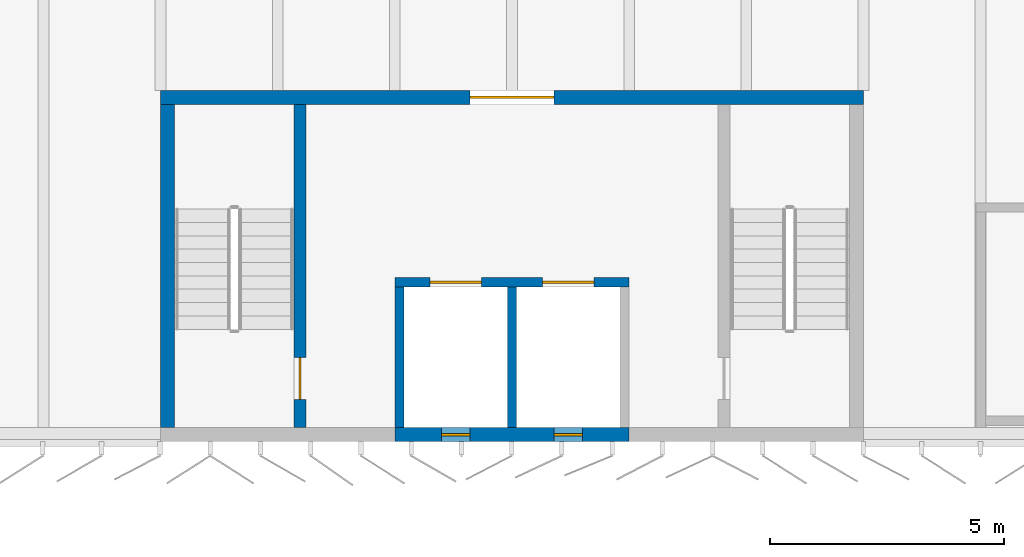
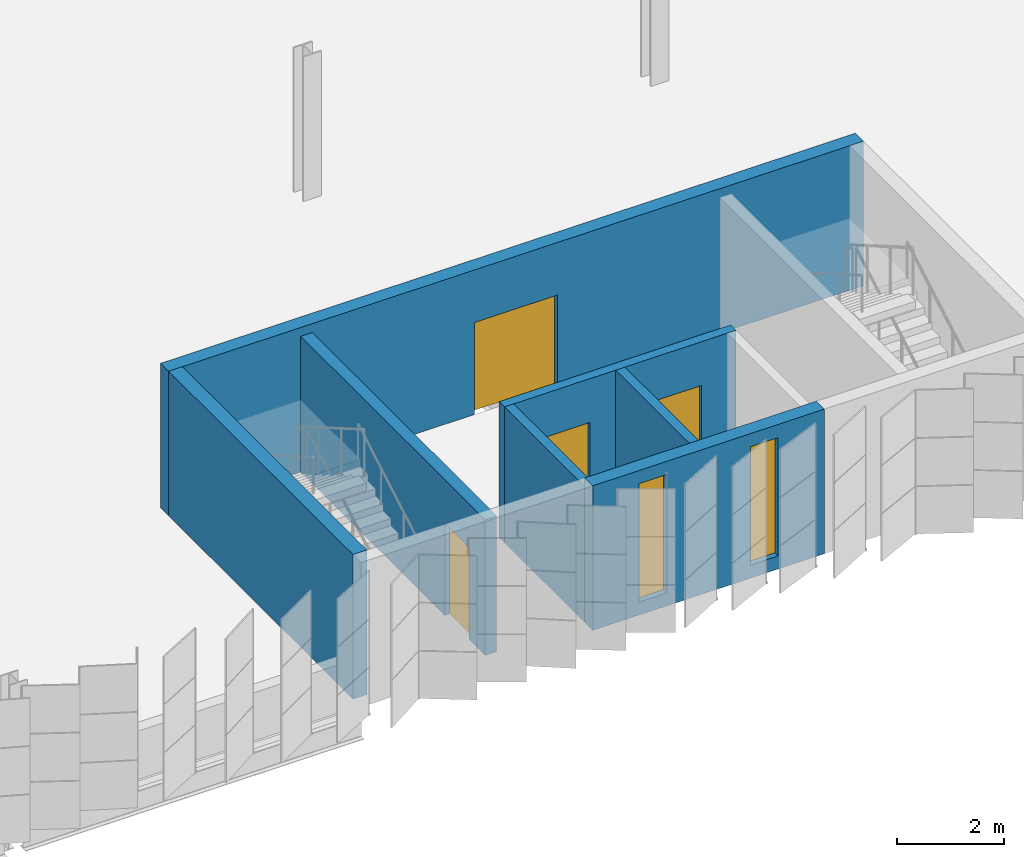
# One storey, part 71 of 214: 7 walls, 4 doors, 2 windows, 6 openings.
"""IFC4 building model written with IfcOpenShell, lengths in metres."""

import ifcopenshell
import ifcopenshell.guid

model = None  # the IFC model being written
_history = None  # IfcOwnerHistory: only IFC2X3 demands one
_inside = {}  # id of a spatial element -> (the spatial element, [elements in it])
_under = {}  # id of a project, library or spatial element -> (it, [spatial elements below it])
_declared = {}  # id of a project -> (the project, [libraries it declares])
_typed = {}  # id of a type object -> (the type object, [elements of that type])
_made_of = {}  # id of a material, layer set ... -> (it, [elements and type objects made of it])


def new_model(schema):
    """Start an empty IFC model of exactly this schema.

    Asked for "IFC4X3", IfcOpenShell would pick the latest addendum, in which some entities
    have other attributes; the version numbers below select the first issue.
    IFC2X3 requires an IfcOwnerHistory on every rooted entity: one is made here for all.
    """
    global model, _history
    if schema == "IFC4X3":
        model = ifcopenshell.file(schema_version=(4, 3, 0, 0))
    else:
        model = ifcopenshell.file(schema=schema)
    _inside.clear()
    _under.clear()
    _declared.clear()
    _typed.clear()
    _made_of.clear()
    _history = None
    if model.schema == "IFC2X3":
        org = make("IfcOrganization", Name="unknown")
        user = make(
            "IfcPersonAndOrganization",
            ThePerson=make("IfcPerson", FamilyName="unknown"),
            TheOrganization=org,
        )
        app = make(
            "IfcApplication",
            ApplicationDeveloper=org,
            Version="unknown",
            ApplicationFullName="unknown",
            ApplicationIdentifier="unknown",
        )
        _history = make(
            "IfcOwnerHistory",
            OwningUser=user,
            OwningApplication=app,
            ChangeAction="ADDED",
            CreationDate=0,
        )
    return model


def make(cls, **values):
    """One entity of the class cls with the attributes given. An attribute that is None is left unset."""
    return model.create_entity(
        cls, **{name: value for name, value in values.items() if value is not None}
    )


def rooted(cls, **values):
    """An entity with a GlobalId (a new one), such as an element, a storey or a relation."""
    return make(cls, GlobalId=ifcopenshell.guid.new(), OwnerHistory=_history, **values)


def si_unit(unit_type, name, prefix=None):
    """IfcSIUnit, for example si_unit("LENGTHUNIT", "METRE", prefix="MILLI")."""
    return make("IfcSIUnit", UnitType=unit_type, Prefix=prefix, Name=name)


def assignment(units):
    """IfcUnitAssignment: the units of a project."""
    return None if units is None else make("IfcUnitAssignment", Units=units)


def point(xyz):
    """IfcCartesianPoint."""
    return None if xyz is None else make("IfcCartesianPoint", Coordinates=xyz)


def direction(xyz):
    """IfcDirection."""
    return None if xyz is None else make("IfcDirection", DirectionRatios=xyz)


def frame(location, z_axis=None, x_axis=None):
    """IfcAxis2Placement3D, a coordinate frame: its origin and axes. An axis left out is left unset."""
    return make(
        "IfcAxis2Placement3D",
        Location=point(location),
        Axis=direction(z_axis),
        RefDirection=direction(x_axis),
    )


def frame_2d(location, x_axis=None):
    """IfcAxis2Placement2D, a coordinate frame in the plane: its origin and x axis."""
    return make(
        "IfcAxis2Placement2D", Location=point(location), RefDirection=direction(x_axis)
    )


def origin():
    """The frame at (0, 0, 0) with its axes left unset."""
    return frame((0.0, 0.0, 0.0))


def place(relative_to, where):
    """IfcLocalPlacement: puts the frame where relative to a parent placement (None: the world)."""
    return make(
        "IfcLocalPlacement", PlacementRelTo=relative_to, RelativePlacement=where
    )


def context(
    kind, dimensions, precision=None, world=None, true_north=None, identifier=None
):
    """IfcGeometricRepresentationContext, for example the 3D "Model" context."""
    return make(
        "IfcGeometricRepresentationContext",
        ContextIdentifier=identifier,
        ContextType=kind,
        CoordinateSpaceDimension=dimensions,
        Precision=precision,
        WorldCoordinateSystem=world,
        TrueNorth=true_north,
    )


def subcontext(parent, identifier, kind, view, scale=None):
    """IfcGeometricRepresentationSubContext, for example "Body" below "Model"."""
    return make(
        "IfcGeometricRepresentationSubContext",
        ContextIdentifier=identifier,
        ContextType=kind,
        ParentContext=parent,
        TargetScale=scale,
        TargetView=view,
    )


def project(units=None, contexts=None):
    """IfcProject with its units and contexts."""
    return rooted(
        "IfcProject",
        Name="project",
        RepresentationContexts=contexts,
        UnitsInContext=assignment(units),
    )


def spatial(cls, under=None, at=None, **own):
    """A site, building, storey or space (cls), placed at a placement, below another one or the project."""
    s = rooted(cls, ObjectPlacement=at, **own)
    if under is not None:
        _under.setdefault(under.id(), (under, []))[1].append(s)
    return s


def profile(cls, at=None, kind="AREA", **sizes):
    """A parametric profile (cls). Its sizes go by their IFC names, for example OverallWidth=200.0."""
    return make(cls, ProfileType=kind, Position=at, **sizes)


def rectangle(**sizes):
    """IfcRectangleProfileDef."""
    return profile("IfcRectangleProfileDef", **sizes)


def extrude(swept, where, along, depth):
    """IfcExtrudedAreaSolid: the profile swept, set in the frame where, extruded along a direction by depth."""
    return make(
        "IfcExtrudedAreaSolid",
        SweptArea=swept,
        Position=where,
        ExtrudedDirection=direction(along),
        Depth=depth,
    )


def shape(context_of_items, identifier, shape_type, items):
    """IfcShapeRepresentation: the items that make up one representation, for example the "Body"."""
    return make(
        "IfcShapeRepresentation",
        ContextOfItems=context_of_items,
        RepresentationIdentifier=identifier,
        RepresentationType=shape_type,
        Items=items,
    )


def material(Name=None, Category=None):
    """IfcMaterial."""
    return make("IfcMaterial", Name=Name, Category=Category)


def layer(
    of_material, thickness, ventilated=None, Name=None, Category=None, Priority=None
):
    """IfcMaterialLayer: one layer of a wall or slab, of a material (None: an air gap)."""
    return make(
        "IfcMaterialLayer",
        Material=of_material,
        LayerThickness=thickness,
        IsVentilated=ventilated,
        Name=Name,
        Category=Category,
        Priority=Priority,
    )


def layer_set(layers, Name=None):
    """IfcMaterialLayerSet."""
    return make("IfcMaterialLayerSet", MaterialLayers=layers, LayerSetName=Name)


def made_of(thing, what):
    """Note that an element or type object is made of a material, layer set ...; save() writes the relation."""
    if what is not None:
        _made_of.setdefault(what.id(), (what, []))[1].append(thing)
    return thing


def type_object(cls, material=None, **own):
    """A type object (cls), such as IfcWallType, which elements share."""
    return made_of(rooted(cls, **own), material)


def element(
    cls,
    number,
    at=None,
    inside=None,
    cuts=None,
    type_object=None,
    material=None,
    context=None,
    identifier="Body",
    shape_type=None,
    held_by="IfcProductDefinitionShape",
    body=None,
    shapes=None,
    **own,
):
    """One element of the class cls, such as IfcWall. Its Tag is "e" and its number.

    at: its placement. inside: the storey or other place that contains it. cuts: it is an
    opening in that element (IfcRelVoidsElement). A single representation is given by context,
    identifier, shape_type and body (its items); several are given by shapes. held_by: the class
    of the entity that holds the representations. save() writes the other relations.
    """
    e = rooted(cls, Tag="e%d" % number, ObjectPlacement=at, **own)
    if body is not None:
        shapes = [shape(context, identifier, shape_type, body)]
    if shapes is not None:
        e.Representation = make(held_by, Representations=shapes)
    if inside is not None:
        _inside.setdefault(inside.id(), (inside, []))[1].append(e)
    if cuts is not None:
        rooted(
            "IfcRelVoidsElement", RelatingBuildingElement=cuts, RelatedOpeningElement=e
        )
    if type_object is not None:
        _typed.setdefault(type_object.id(), (type_object, []))[1].append(e)
    return made_of(e, material)


def fill(opening, filler):
    """IfcRelFillsElement: the door or window that sits in an opening."""
    return rooted(
        "IfcRelFillsElement",
        RelatingOpeningElement=opening,
        RelatedBuildingElement=filler,
    )


def aggregate(whole, parts):
    """IfcRelAggregates: a whole, such as a stair, and the parts it consists of."""
    return rooted("IfcRelAggregates", RelatingObject=whole, RelatedObjects=parts)


def save(model, path):
    """Write the relations noted so far, then the file.

    IfcRelAggregates (storeys below a building ...), IfcRelContainedInSpatialStructure (elements
    in a storey), IfcRelDefinesByType, IfcRelAssociatesMaterial and IfcRelDeclares: one each for
    every whole, place, type object, material and project.
    """
    for whole, parts in _under.values():
        aggregate(whole, parts)
    for where, things in _inside.values():
        rooted(
            "IfcRelContainedInSpatialStructure",
            RelatedElements=things,
            RelatingStructure=where,
        )
    for kind, things in _typed.values():
        rooted("IfcRelDefinesByType", RelatedObjects=things, RelatingType=kind)
    for what, things in _made_of.values():
        rooted("IfcRelAssociatesMaterial", RelatedObjects=things, RelatingMaterial=what)
    for by, libraries in _declared.values():
        rooted("IfcRelDeclares", RelatingContext=by, RelatedDefinitions=libraries)
    model.write(path)


model = new_model("IFC4")

# Units and contexts
model_context = context("Model", 3, precision=1e-05, world=origin(), true_north=direction((0.0, 1.0)))
body_context = subcontext(model_context, "Body", "Model", "MODEL_VIEW")
ifc_project = project(units=[si_unit("LENGTHUNIT", "METRE"), si_unit("AREAUNIT", "SQUARE_METRE"), si_unit("VOLUMEUNIT", "CUBIC_METRE"), si_unit("PLANEANGLEUNIT", "RADIAN"), si_unit("MASSUNIT", "GRAM", prefix="KILO")], contexts=[model_context])

# Site, building, storey
site_placement = place(None, origin())
site = spatial("IfcSite", under=ifc_project, at=site_placement, CompositionType="ELEMENT")
building_placement = place(site_placement, origin())
building = spatial("IfcBuilding", under=site, at=building_placement, Name="Parallax Yard Mobility Hub", CompositionType="ELEMENT")
storey_placement = place(building_placement, frame((0.0, 0.0, 3.300048828125)))
storey = spatial("IfcBuildingStorey", under=building, at=storey_placement, Name="L01", CompositionType="ELEMENT", Elevation=3.300048828125)

# Wall, opening, door
ifc_material_1 = material(Name="Concrete fc' 35 MPa", Category="concrete")
ifc_layer_1 = layer(ifc_material_1, 0.300048828125)
ifc_layer_set_1 = layer_set([ifc_layer_1], Name="Concrete fc' 35 MPa core wall 300")
wall_type_1 = type_object("IfcWallType", Name="Concrete fc' 35 MPa core wall 300", PredefinedType="SHEAR", material=ifc_layer_set_1)
wall_1_placement = place(storey_placement, frame((127.5, 119.85009765625, 0.0), z_axis=(0.0, 0.0, 1.0), x_axis=(1.0, 0.0, 0.0)))
wall_1 = element("IfcWall", 1, at=wall_1_placement, inside=storey, type_object=wall_type_1, Name="Core C-N2 entry wall level L01", PredefinedType="SHEAR", context=body_context, shape_type="SweptSolid", body=[
    extrude(rectangle(XDim=15.0, YDim=0.300048828125, at=frame_2d((7.5, 0.0))), origin(), (0.0, 0.0, 1.0), 3.300048828125),
])
opening_1_placement = place(wall_1_placement, frame((6.60009765625, 0.0, 0.0)))
opening_1 = element("IfcOpeningElement", 2, at=opening_1_placement, cuts=wall_1, Name="Opening L01-D714", PredefinedType="OPENING", context=body_context, shape_type="SweptSolid", body=[
    extrude(rectangle(XDim=1.800048828125, YDim=2.10009765625, at=frame_2d((0.89990234375, 1.050048828125))), frame((0.0, 0.16015625, 0.0), z_axis=(0.0, -1.0, 0.0), x_axis=(1.0, 0.0, 0.0)), (0.0, 0.0, 1.0), 0.320068359375),
])
ifc_material_2 = material(Name="Hollow metal steel door and frame", Category="steel")
door_type_1 = type_object("IfcDoorType", Name="Core double door 1800 x 2100 FD90", OperationType="NOTDEFINED", PredefinedType="DOOR", material=ifc_material_2)
door_1_placement = place(opening_1_placement, origin())
door_1 = element("IfcDoor", 3, at=door_1_placement, inside=storey, type_object=door_type_1, Name="Lift lobby door L01-D714, core C-N2 level L01", OperationType="DOUBLE_DOOR_SINGLE_SWING", OverallHeight=2.10009765625, OverallWidth=1.800048828125, PredefinedType="DOOR", context=body_context, shape_type="SweptSolid", body=[
    extrude(rectangle(XDim=1.800048828125, YDim=2.10009765625, at=frame_2d((0.89990234375, 1.050048828125))), frame((0.0, 0.02490234375, 0.0), z_axis=(0.0, -1.0, 0.0), x_axis=(1.0, 0.0, 0.0)), (0.0, 0.0, 1.0), 0.050048828125),
])
fill(opening_1, door_1)

# Wall, openings, windows
wall_2_placement = place(storey_placement, frame((137.5, 112.64990234375, 0.0), z_axis=(0.0, 0.0, 1.0), x_axis=(-1.0, 0.0, 0.0)))
wall_2 = element("IfcWall", 4, at=wall_2_placement, inside=storey, type_object=wall_type_1, Name="Core C-N2 back wall part 2 level L01", PredefinedType="SHEAR", context=body_context, shape_type="SweptSolid", body=[
    extrude(rectangle(XDim=5.0, YDim=0.300048828125, at=frame_2d((2.5, 0.0))), origin(), (0.0, 0.0, 1.0), 3.300048828125),
])
opening_2_placement = place(wall_2_placement, frame((1.0, 0.0, 0.300048828125)))
opening_2 = element("IfcOpeningElement", 5, at=opening_2_placement, cuts=wall_2, Name="Opening CW-S1", PredefinedType="OPENING", context=body_context, shape_type="SweptSolid", body=[
    extrude(rectangle(XDim=0.60009765625, YDim=2.699951171875, at=frame_2d((0.300048828125, 1.35009765625))), frame((0.0, 0.16015625, 0.0), z_axis=(0.0, -1.0, 0.0), x_axis=(1.0, 0.0, 0.0)), (0.0, 0.0, 1.0), 0.320068359375),
])
opening_3_placement = place(wall_2_placement, frame((3.39990234375, 0.0, 0.300048828125)))
opening_3 = element("IfcOpeningElement", 6, at=opening_3_placement, cuts=wall_2, Name="Opening CW-S1", PredefinedType="OPENING", context=body_context, shape_type="SweptSolid", body=[
    extrude(rectangle(XDim=0.60009765625, YDim=2.699951171875, at=frame_2d((0.300048828125, 1.35009765625))), frame((0.0, 0.16015625, 0.0), z_axis=(0.0, -1.0, 0.0), x_axis=(1.0, 0.0, 0.0)), (0.0, 0.0, 1.0), 0.320068359375),
])
ifc_material_3 = material(Name="Fire-resisting glazing in a steel frame", Category="steel")
window_type = type_object("IfcWindowType", Name="Core slot window 600 x 2700", PartitioningType="SINGLE_PANEL", PredefinedType="WINDOW", material=ifc_material_3)
window_1_placement = place(opening_2_placement, origin())
window_1 = element("IfcWindow", 7, at=window_1_placement, inside=storey, type_object=window_type, Name="Glazed slot 1, core C-N2 level L01", OverallHeight=2.699951171875, OverallWidth=0.60009765625, PartitioningType="SINGLE_PANEL", PredefinedType="WINDOW", context=body_context, shape_type="SweptSolid", body=[
    extrude(rectangle(XDim=0.60009765625, YDim=2.699951171875, at=frame_2d((0.300048828125, 1.35009765625))), frame((0.0, 0.030029296875, 0.0), z_axis=(0.0, -1.0, 0.0), x_axis=(1.0, 0.0, 0.0)), (0.0, 0.0, 1.0), 0.06005859375),
])
fill(opening_2, window_1)
window_2_placement = place(opening_3_placement, origin())
window_2 = element("IfcWindow", 8, at=window_2_placement, inside=storey, type_object=window_type, Name="Glazed slot 2, core C-N2 level L01", OverallHeight=2.699951171875, OverallWidth=0.60009765625, PartitioningType="SINGLE_PANEL", PredefinedType="WINDOW", context=body_context, shape_type="SweptSolid", body=[
    extrude(rectangle(XDim=0.60009765625, YDim=2.699951171875, at=frame_2d((0.300048828125, 1.35009765625))), frame((0.0, 0.030029296875, 0.0), z_axis=(0.0, -1.0, 0.0), x_axis=(1.0, 0.0, 0.0)), (0.0, 0.0, 1.0), 0.06005859375),
])
fill(opening_3, window_2)

# Wall
wall_3_placement = place(storey_placement, frame((127.64990234375, 119.699951171875, 0.0), z_axis=(0.0, 0.0, 1.0), x_axis=(0.0, -1.0, 0.0)))
element("IfcWall", 9, at=wall_3_placement, inside=storey, type_object=wall_type_1, Name="Core C-N2 east-side end wall level L01", PredefinedType="SHEAR", context=body_context, shape_type="SweptSolid", body=[
    extrude(rectangle(XDim=6.89990234375, YDim=0.300048828125, at=frame_2d((3.449951171875, 0.0))), origin(), (0.0, 0.0, 1.0), 3.300048828125),
])

# Wall, openings, doors
ifc_layer_2 = layer(ifc_material_1, 0.199951171875)
ifc_layer_set_2 = layer_set([ifc_layer_2], Name="Concrete fc' 35 MPa internal core wall 200")
wall_type_2 = type_object("IfcWallType", Name="Concrete fc' 35 MPa internal core wall 200", PredefinedType="STANDARD", material=ifc_layer_set_2)
wall_4_placement = place(storey_placement, frame((137.5, 115.89990234375, 0.0), z_axis=(0.0, 0.0, 1.0), x_axis=(-1.0, 0.0, 0.0)))
wall_4 = element("IfcWall", 10, at=wall_4_placement, inside=storey, type_object=wall_type_2, Name="Core C-N2 lift front 2 part 2 level L01", PredefinedType="STANDARD", context=body_context, shape_type="SweptSolid", body=[
    extrude(rectangle(XDim=5.0, YDim=0.199951171875, at=frame_2d((2.5, 0.0))), origin(), (0.0, 0.0, 1.0), 3.099853515625),
])
opening_4_placement = place(wall_4_placement, frame((0.75, 0.0, 0.0)))
opening_4 = element("IfcOpeningElement", 11, at=opening_4_placement, cuts=wall_4, Name="Opening L01-D717", PredefinedType="OPENING", context=body_context, shape_type="SweptSolid", body=[
    extrude(rectangle(XDim=1.10009765625, YDim=2.10009765625, at=frame_2d((0.550048828125, 1.050048828125))), frame((0.0, 0.10986328125, 0.0), z_axis=(0.0, -1.0, 0.0), x_axis=(1.0, 0.0, 0.0)), (0.0, 0.0, 1.0), 0.219970703125),
])
opening_5_placement = place(wall_4_placement, frame((3.14990234375, 0.0, 0.0)))
opening_5 = element("IfcOpeningElement", 12, at=opening_5_placement, cuts=wall_4, Name="Opening L01-D718", PredefinedType="OPENING", context=body_context, shape_type="SweptSolid", body=[
    extrude(rectangle(XDim=1.10009765625, YDim=2.10009765625, at=frame_2d((0.550048828125, 1.050048828125))), frame((0.0, 0.10986328125, 0.0), z_axis=(0.0, -1.0, 0.0), x_axis=(1.0, 0.0, 0.0)), (0.0, 0.0, 1.0), 0.219970703125),
])
ifc_material_4 = material(Name="Stainless steel sliding door and frame", Category="steel")
door_type_2 = type_object("IfcDoorType", Name="Lift landing door 1100 x 2100 FD90", OperationType="DOUBLE_DOOR_SLIDING", PredefinedType="DOOR", material=ifc_material_4)
door_2_placement = place(opening_4_placement, origin())
door_2 = element("IfcDoor", 13, at=door_2_placement, inside=storey, type_object=door_type_2, Name="Lift landing door L01-D717, core C-N2 level L01", OperationType="DOUBLE_DOOR_SLIDING", OverallHeight=2.10009765625, OverallWidth=1.10009765625, PredefinedType="DOOR", context=body_context, shape_type="SweptSolid", body=[
    extrude(rectangle(XDim=1.10009765625, YDim=2.10009765625, at=frame_2d((0.550048828125, 1.050048828125))), frame((0.0, 0.02490234375, 0.0), z_axis=(0.0, -1.0, 0.0), x_axis=(1.0, 0.0, 0.0)), (0.0, 0.0, 1.0), 0.050048828125),
])
fill(opening_4, door_2)
door_3_placement = place(opening_5_placement, origin())
door_3 = element("IfcDoor", 14, at=door_3_placement, inside=storey, type_object=door_type_2, Name="Lift landing door L01-D718, core C-N2 level L01", OperationType="DOUBLE_DOOR_SLIDING", OverallHeight=2.10009765625, OverallWidth=1.10009765625, PredefinedType="DOOR", context=body_context, shape_type="SweptSolid", body=[
    extrude(rectangle(XDim=1.10009765625, YDim=2.10009765625, at=frame_2d((0.550048828125, 1.050048828125))), frame((0.0, 0.02490234375, 0.0), z_axis=(0.0, -1.0, 0.0), x_axis=(1.0, 0.0, 0.0)), (0.0, 0.0, 1.0), 0.050048828125),
])
fill(opening_5, door_3)

# Walls
for number, where, z_axis, x_axis, name in (
    (15, (135.0, 115.800048828125, 0.0), (0.0, 0.0, 1.0), (0.0, -1.0, 0.0), "Core C-N2 lift wall 2 part 2 level L01"),
    (16, (132.60009765625, 115.800048828125, 0.0), (0.0, 0.0, 1.0), (0.0, -1.0, 0.0), "Core C-N2 lift wall 3 part 3 level L01"),
):
    element("IfcWall", number, at=place(storey_placement, frame(where, z_axis=z_axis, x_axis=x_axis)), inside=storey, type_object=wall_type_2, Name=name, PredefinedType="STANDARD", context=body_context, shape_type="SweptSolid", body=[
        extrude(rectangle(XDim=3.0, YDim=0.199951171875, at=frame_2d((1.5, 0.0))), origin(), (0.0, 0.0, 1.0), 3.099853515625),
    ])

# Wall, opening, door
ifc_layer_3 = layer(ifc_material_1, 0.25)
ifc_layer_set_3 = layer_set([ifc_layer_3], Name="Concrete fc' 35 MPa stair enclosure wall 250")
wall_type_3 = type_object("IfcWallType", Name="Concrete fc' 35 MPa stair enclosure wall 250", PredefinedType="STANDARD", material=ifc_layer_set_3)
wall_5_placement = place(storey_placement, frame((130.47509765625, 112.800048828125, 0.0), z_axis=(0.0, 0.0, 1.0), x_axis=(0.0, 1.0, 0.0)))
wall_5 = element("IfcWall", 17, at=wall_5_placement, inside=storey, type_object=wall_type_3, Name="Core C-N2 stair 2 partition level L01", PredefinedType="STANDARD", context=body_context, shape_type="SweptSolid", body=[
    extrude(rectangle(XDim=6.89990234375, YDim=0.25, at=frame_2d((3.449951171875, 0.0))), origin(), (0.0, 0.0, 1.0), 3.099853515625),
])
opening_6_placement = place(wall_5_placement, frame((0.60009765625, 0.0, 0.0)))
opening_6 = element("IfcOpeningElement", 18, at=opening_6_placement, cuts=wall_5, Name="Opening L01-D716", PredefinedType="OPENING", context=body_context, shape_type="SweptSolid", body=[
    extrude(rectangle(XDim=0.89990234375, YDim=2.10009765625, at=frame_2d((0.449951171875, 1.050048828125))), frame((0.0, 0.135009765625, 0.0), z_axis=(0.0, -1.0, 0.0), x_axis=(1.0, 0.0, 0.0)), (0.0, 0.0, 1.0), 0.27001953125),
])
door_type_3 = type_object("IfcDoorType", Name="Core door 900 x 2100 FD90", OperationType="NOTDEFINED", PredefinedType="DOOR", material=ifc_material_2)
door_4_placement = place(opening_6_placement, origin())
door_4 = element("IfcDoor", 19, at=door_4_placement, inside=storey, type_object=door_type_3, Name="Stair lobby door L01-D716, core C-N2 level L01", OperationType="SINGLE_SWING_RIGHT", OverallHeight=2.10009765625, OverallWidth=0.89990234375, PredefinedType="DOOR", context=body_context, shape_type="SweptSolid", body=[
    extrude(rectangle(XDim=0.89990234375, YDim=2.10009765625, at=frame_2d((0.449951171875, 1.050048828125))), frame((0.0, 0.02490234375, 0.0), z_axis=(0.0, -1.0, 0.0), x_axis=(1.0, 0.0, 0.0)), (0.0, 0.0, 1.0), 0.050048828125),
])
fill(opening_6, door_4)

save(model, "model.ifc")
